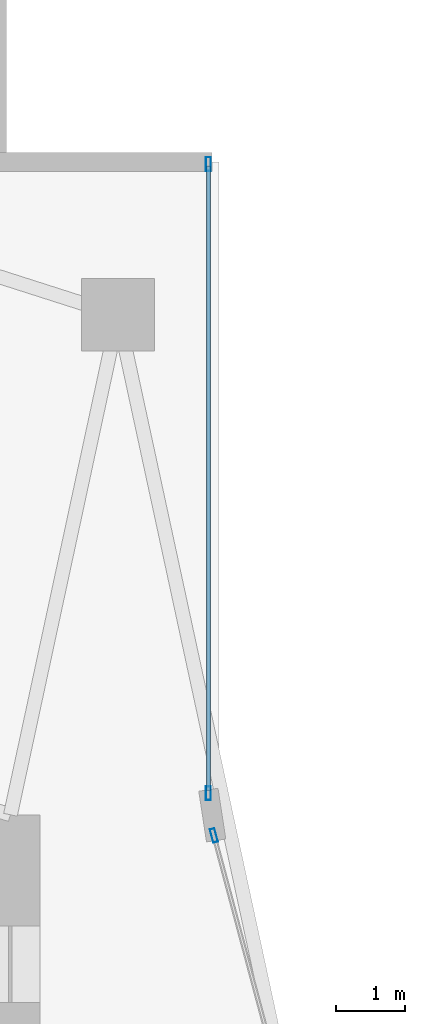
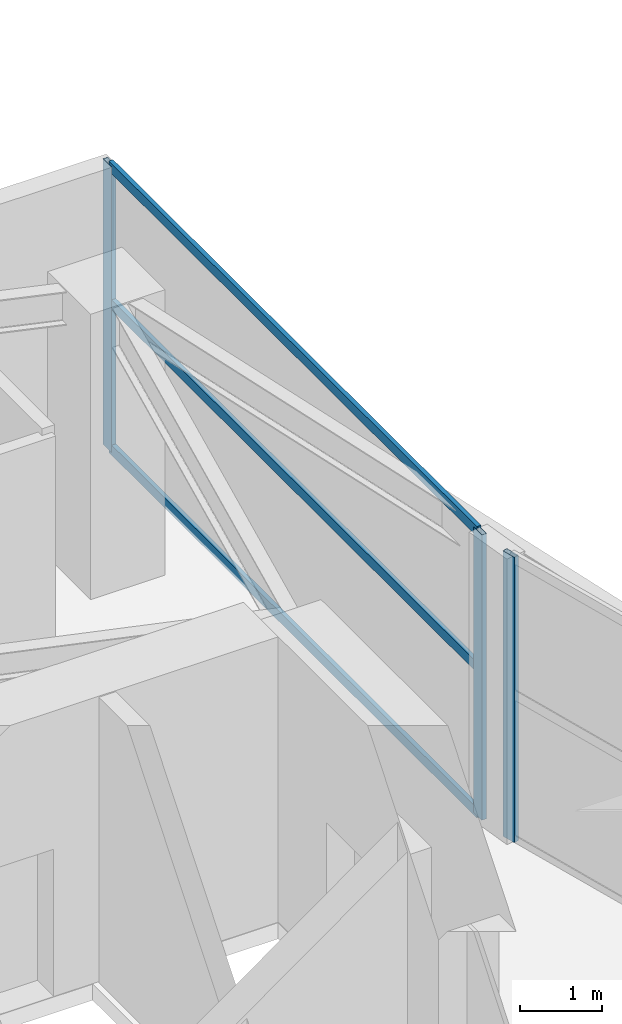
# One storey, part 17 of 26: 6 members, 2 elements without a shape of their own.
"""IFC4 building model written with IfcOpenShell, lengths in metres."""

from ifc_helpers import new_model, si_unit, direction, frame, origin, origin_2d, place, context, subcontext, project, spatial, hollow_rectangle, extrude, material, layer, layer_set, material_profile, profile_set, type_object, element, aggregate, save


model = new_model("IFC4")

# Units and contexts
model_context = context("Model", 3, precision=1e-05, world=origin(), true_north=direction((0.0, 1.0)))
body_context = subcontext(model_context, "Body", "Model", "MODEL_VIEW")
ifc_project = project(units=[si_unit("LENGTHUNIT", "METRE"), si_unit("AREAUNIT", "SQUARE_METRE"), si_unit("VOLUMEUNIT", "CUBIC_METRE"), si_unit("PLANEANGLEUNIT", "RADIAN"), si_unit("MASSUNIT", "GRAM", prefix="KILO")], contexts=[model_context])

# Site, building, storey
site_placement = place(None, origin())
site = spatial("IfcSite", under=ifc_project, at=site_placement, CompositionType="ELEMENT")
building_placement = place(site_placement, origin())
building = spatial("IfcBuilding", under=site, at=building_placement, Name="Calvorn Quay Hotel", CompositionType="ELEMENT")
storey_placement = place(building_placement, frame((0.0, 0.0, 144.0)))
storey = spatial("IfcBuildingStorey", under=building, at=storey_placement, Name="L35", CompositionType="ELEMENT", Elevation=144.0)

# Curtain wall, member
ifc_material_1 = material(Name="Pale Anodised Aluminium and Low-E Glass", Category="aluminium")
ifc_layer = layer(ifc_material_1, 0.219970703125)
ifc_layer_set = layer_set([ifc_layer], Name="CW-SYS-Z2")
curtain_wall_type = type_object("IfcCurtainWallType", Name="CW-SYS-Z2", PredefinedType="NOTDEFINED", material=ifc_layer_set)
curtain_wall_1_placement = place(storey_placement, origin())
curtain_wall_1 = element("IfcCurtainWall", 1, at=curtain_wall_1_placement, inside=storey, type_object=curtain_wall_type, Name="Inner Court Curtain Wall L35-IC1", PredefinedType="NOTDEFINED")
ifc_material_2 = material(Name="Pale Anodised Aluminium 6063-T6", Category="aluminium")
ifc_material_profile_1 = material_profile(ifc_material_2, hollow_rectangle(XDim=0.070068359375, YDim=0.199951171875, WallThickness=0.00390625, at=origin_2d()), Name="ALU-M200x70x4")
ifc_profile_set_1 = profile_set([ifc_material_profile_1], Name="Pale Anodised Aluminium 6063-T6")
member_type_1 = type_object("IfcMemberType", Name="CW-SYS-Z2-MUL", PredefinedType="MULLION", material=ifc_profile_set_1)
member_1_placement = place(storey_placement, frame((17.9296875, 38.10107421875, 0.0), z_axis=(0.0, 0.0, 1.0), x_axis=(-0.96593652056, -0.25877913024, 0.0)))
member_1 = element("IfcMember", 2, at=member_1_placement, type_object=member_type_1, Name="CW-L35-IC1 mullion 2", PredefinedType="MULLION", context=body_context, shape_type="SweptSolid", body=[
    extrude(hollow_rectangle(XDim=0.070068359375, YDim=0.199951171875, WallThickness=0.00390625, at=origin_2d()), origin(), (0.0, 0.0, 1.0), 4.260009765625),
])
aggregate(curtain_wall_1, [member_1])

# Curtain wall, members
curtain_wall_2_placement = place(storey_placement, origin())
curtain_wall_2 = element("IfcCurtainWall", 3, at=curtain_wall_2_placement, inside=storey, type_object=curtain_wall_type, Name="Inner Court Curtain Wall L35-IC2", PredefinedType="NOTDEFINED")
member_2_placement = place(storey_placement, frame((17.85009765625, 38.7099609375, 0.0), z_axis=(0.0, 0.0, 1.0), x_axis=(-1.0, 0.0, 0.0)))
member_2 = element("IfcMember", 4, at=member_2_placement, type_object=member_type_1, Name="CW-L35-IC2 mullion 1", PredefinedType="MULLION", context=body_context, shape_type="SweptSolid", body=[
    extrude(hollow_rectangle(XDim=0.070068359375, YDim=0.199951171875, WallThickness=0.00390625, at=origin_2d()), origin(), (0.0, 0.0, 1.0), 4.260009765625),
])
member_3_placement = place(storey_placement, frame((17.85009765625, 47.77001953125, 0.0), z_axis=(0.0, 0.0, 1.0), x_axis=(-1.0, 0.0, 0.0)))
member_3 = element("IfcMember", 5, at=member_3_placement, type_object=member_type_1, Name="CW-L35-IC2 mullion 2", PredefinedType="MULLION", context=body_context, shape_type="SweptSolid", body=[
    extrude(hollow_rectangle(XDim=0.070068359375, YDim=0.199951171875, WallThickness=0.00390625, at=origin_2d()), origin(), (0.0, 0.0, 1.0), 4.260009765625),
])
ifc_material_3 = material(Name="Pale Anodised Aluminium 6063-T6", Category="aluminium")
ifc_material_profile_2 = material_profile(ifc_material_3, hollow_rectangle(XDim=0.06005859375, YDim=0.14990234375, WallThickness=0.00341796875, at=origin_2d()), Name="ALU-T150x60x3.5")
ifc_profile_set_2 = profile_set([ifc_material_profile_2], Name="Pale Anodised Aluminium 6063-T6")
member_type_2 = type_object("IfcMemberType", Name="CW-SYS-Z2-TRN", PredefinedType="USERDEFINED", material=ifc_profile_set_2)
member_4_placement = place(storey_placement, frame((17.85009765625, 38.739990234375, 0.030029296875), z_axis=(0.0, 1.0, 0.0), x_axis=(-1.0, 0.0, 0.0)))
member_4 = element("IfcMember", 6, at=member_4_placement, type_object=member_type_2, Name="CW-L35-IC2 transom 1.1", ObjectType="TRANSOM", PredefinedType="USERDEFINED", context=body_context, shape_type="SweptSolid", body=[
    extrude(hollow_rectangle(XDim=0.06005859375, YDim=0.14990234375, WallThickness=0.00341796875, at=origin_2d()), origin(), (0.0, 0.0, 1.0), 9.0),
])
member_5_placement = place(storey_placement, frame((17.85009765625, 38.739990234375, 2.199951171875), z_axis=(0.0, 1.0, 0.0), x_axis=(-1.0, 0.0, 0.0)))
member_5 = element("IfcMember", 7, at=member_5_placement, type_object=member_type_2, Name="CW-L35-IC2 transom 1.2", ObjectType="TRANSOM", PredefinedType="USERDEFINED", context=body_context, shape_type="SweptSolid", body=[
    extrude(hollow_rectangle(XDim=0.06005859375, YDim=0.14990234375, WallThickness=0.00341796875, at=origin_2d()), origin(), (0.0, 0.0, 1.0), 9.0),
])
member_6_placement = place(storey_placement, frame((17.85009765625, 38.739990234375, 4.22998046875), z_axis=(0.0, 1.0, 0.0), x_axis=(-1.0, 0.0, 0.0)))
member_6 = element("IfcMember", 8, at=member_6_placement, type_object=member_type_2, Name="CW-L35-IC2 transom 1.3", ObjectType="TRANSOM", PredefinedType="USERDEFINED", context=body_context, shape_type="SweptSolid", body=[
    extrude(hollow_rectangle(XDim=0.06005859375, YDim=0.14990234375, WallThickness=0.00341796875, at=origin_2d()), origin(), (0.0, 0.0, 1.0), 9.0),
])
aggregate(curtain_wall_2, [member_2, member_3, member_4, member_5, member_6])

save(model, "model.ifc")
